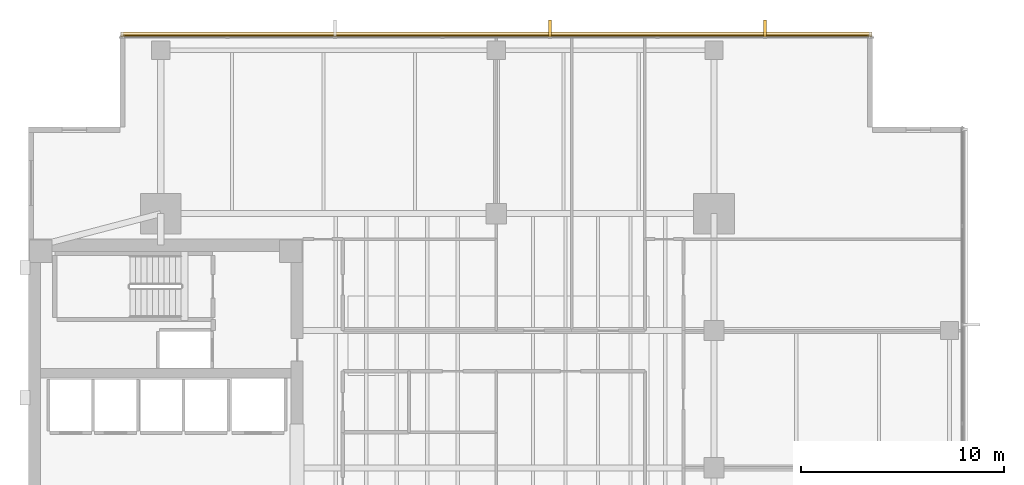
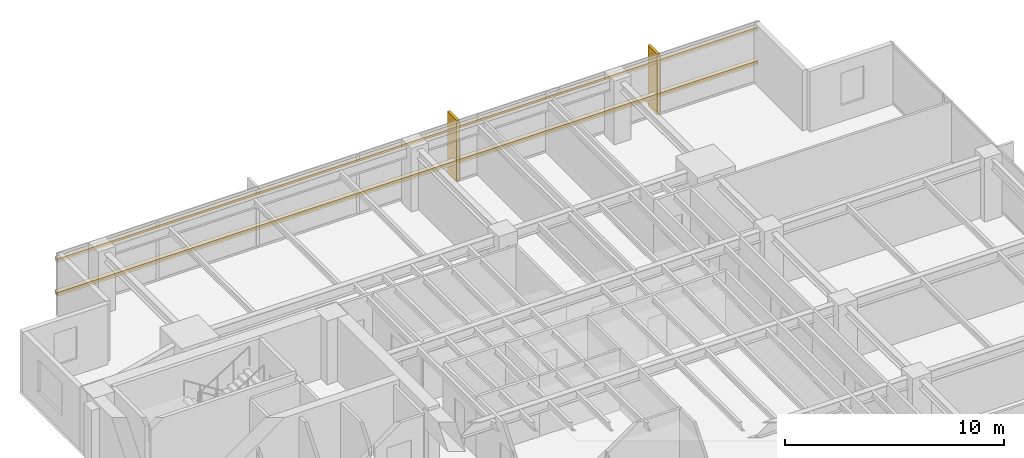
# One storey, part 14 of 14: 4 coverings, 2 shading devices.
"""IFC4 building model written with IfcOpenShell, lengths in metres."""

import ifcopenshell
import ifcopenshell.guid

model = None  # the IFC model being written
_history = None  # IfcOwnerHistory: only IFC2X3 demands one
_inside = {}  # id of a spatial element -> (the spatial element, [elements in it])
_under = {}  # id of a project, library or spatial element -> (it, [spatial elements below it])
_declared = {}  # id of a project -> (the project, [libraries it declares])
_typed = {}  # id of a type object -> (the type object, [elements of that type])
_made_of = {}  # id of a material, layer set ... -> (it, [elements and type objects made of it])


def new_model(schema):
    """Start an empty IFC model of exactly this schema.

    Asked for "IFC4X3", IfcOpenShell would pick the latest addendum, in which some entities
    have other attributes; the version numbers below select the first issue.
    IFC2X3 requires an IfcOwnerHistory on every rooted entity: one is made here for all.
    """
    global model, _history
    if schema == "IFC4X3":
        model = ifcopenshell.file(schema_version=(4, 3, 0, 0))
    else:
        model = ifcopenshell.file(schema=schema)
    _inside.clear()
    _under.clear()
    _declared.clear()
    _typed.clear()
    _made_of.clear()
    _history = None
    if model.schema == "IFC2X3":
        org = make("IfcOrganization", Name="unknown")
        user = make(
            "IfcPersonAndOrganization",
            ThePerson=make("IfcPerson", FamilyName="unknown"),
            TheOrganization=org,
        )
        app = make(
            "IfcApplication",
            ApplicationDeveloper=org,
            Version="unknown",
            ApplicationFullName="unknown",
            ApplicationIdentifier="unknown",
        )
        _history = make(
            "IfcOwnerHistory",
            OwningUser=user,
            OwningApplication=app,
            ChangeAction="ADDED",
            CreationDate=0,
        )
    return model


def make(cls, **values):
    """One entity of the class cls with the attributes given. An attribute that is None is left unset."""
    return model.create_entity(
        cls, **{name: value for name, value in values.items() if value is not None}
    )


def rooted(cls, **values):
    """An entity with a GlobalId (a new one), such as an element, a storey or a relation."""
    return make(cls, GlobalId=ifcopenshell.guid.new(), OwnerHistory=_history, **values)


def si_unit(unit_type, name, prefix=None):
    """IfcSIUnit, for example si_unit("LENGTHUNIT", "METRE", prefix="MILLI")."""
    return make("IfcSIUnit", UnitType=unit_type, Prefix=prefix, Name=name)


def assignment(units):
    """IfcUnitAssignment: the units of a project."""
    return None if units is None else make("IfcUnitAssignment", Units=units)


def point(xyz):
    """IfcCartesianPoint."""
    return None if xyz is None else make("IfcCartesianPoint", Coordinates=xyz)


def direction(xyz):
    """IfcDirection."""
    return None if xyz is None else make("IfcDirection", DirectionRatios=xyz)


def frame(location, z_axis=None, x_axis=None):
    """IfcAxis2Placement3D, a coordinate frame: its origin and axes. An axis left out is left unset."""
    return make(
        "IfcAxis2Placement3D",
        Location=point(location),
        Axis=direction(z_axis),
        RefDirection=direction(x_axis),
    )


def frame_2d(location, x_axis=None):
    """IfcAxis2Placement2D, a coordinate frame in the plane: its origin and x axis."""
    return make(
        "IfcAxis2Placement2D", Location=point(location), RefDirection=direction(x_axis)
    )


def origin():
    """The frame at (0, 0, 0) with its axes left unset."""
    return frame((0.0, 0.0, 0.0))


def origin_2d():
    """The frame at (0, 0) in the plane with its x axis left unset."""
    return frame_2d((0.0, 0.0))


def place(relative_to, where):
    """IfcLocalPlacement: puts the frame where relative to a parent placement (None: the world)."""
    return make(
        "IfcLocalPlacement", PlacementRelTo=relative_to, RelativePlacement=where
    )


def context(
    kind, dimensions, precision=None, world=None, true_north=None, identifier=None
):
    """IfcGeometricRepresentationContext, for example the 3D "Model" context."""
    return make(
        "IfcGeometricRepresentationContext",
        ContextIdentifier=identifier,
        ContextType=kind,
        CoordinateSpaceDimension=dimensions,
        Precision=precision,
        WorldCoordinateSystem=world,
        TrueNorth=true_north,
    )


def subcontext(parent, identifier, kind, view, scale=None):
    """IfcGeometricRepresentationSubContext, for example "Body" below "Model"."""
    return make(
        "IfcGeometricRepresentationSubContext",
        ContextIdentifier=identifier,
        ContextType=kind,
        ParentContext=parent,
        TargetScale=scale,
        TargetView=view,
    )


def project(units=None, contexts=None):
    """IfcProject with its units and contexts."""
    return rooted(
        "IfcProject",
        Name="project",
        RepresentationContexts=contexts,
        UnitsInContext=assignment(units),
    )


def spatial(cls, under=None, at=None, **own):
    """A site, building, storey or space (cls), placed at a placement, below another one or the project."""
    s = rooted(cls, ObjectPlacement=at, **own)
    if under is not None:
        _under.setdefault(under.id(), (under, []))[1].append(s)
    return s


def polyline(points):
    """IfcPolyline through the points."""
    return make("IfcPolyline", Points=[point(p) for p in points])


def profile(cls, at=None, kind="AREA", **sizes):
    """A parametric profile (cls). Its sizes go by their IFC names, for example OverallWidth=200.0."""
    return make(cls, ProfileType=kind, Position=at, **sizes)


def rectangle(**sizes):
    """IfcRectangleProfileDef."""
    return profile("IfcRectangleProfileDef", **sizes)


def outline(outer, holes=None, kind="AREA"):
    """IfcArbitraryClosedProfileDef: a profile drawn as a closed curve; with holes, ...WithVoids."""
    if holes is None:
        return make("IfcArbitraryClosedProfileDef", ProfileType=kind, OuterCurve=outer)
    return make(
        "IfcArbitraryProfileDefWithVoids",
        ProfileType=kind,
        OuterCurve=outer,
        InnerCurves=holes,
    )


def extrude(swept, where, along, depth):
    """IfcExtrudedAreaSolid: the profile swept, set in the frame where, extruded along a direction by depth."""
    return make(
        "IfcExtrudedAreaSolid",
        SweptArea=swept,
        Position=where,
        ExtrudedDirection=direction(along),
        Depth=depth,
    )


def shape(context_of_items, identifier, shape_type, items):
    """IfcShapeRepresentation: the items that make up one representation, for example the "Body"."""
    return make(
        "IfcShapeRepresentation",
        ContextOfItems=context_of_items,
        RepresentationIdentifier=identifier,
        RepresentationType=shape_type,
        Items=items,
    )


def material(Name=None, Category=None):
    """IfcMaterial."""
    return make("IfcMaterial", Name=Name, Category=Category)


def layer(
    of_material, thickness, ventilated=None, Name=None, Category=None, Priority=None
):
    """IfcMaterialLayer: one layer of a wall or slab, of a material (None: an air gap)."""
    return make(
        "IfcMaterialLayer",
        Material=of_material,
        LayerThickness=thickness,
        IsVentilated=ventilated,
        Name=Name,
        Category=Category,
        Priority=Priority,
    )


def layer_set(layers, Name=None):
    """IfcMaterialLayerSet."""
    return make("IfcMaterialLayerSet", MaterialLayers=layers, LayerSetName=Name)


def material_profile(
    of_material, cross_section, Name=None, Category=None, Priority=None
):
    """IfcMaterialProfile: a cross section and its material."""
    return make(
        "IfcMaterialProfile",
        Name=Name,
        Material=of_material,
        Profile=cross_section,
        Priority=Priority,
        Category=Category,
    )


def profile_set(profiles, Name=None, composite=None):
    """IfcMaterialProfileSet."""
    return make(
        "IfcMaterialProfileSet",
        Name=Name,
        MaterialProfiles=profiles,
        CompositeProfile=composite,
    )


def made_of(thing, what):
    """Note that an element or type object is made of a material, layer set ...; save() writes the relation."""
    if what is not None:
        _made_of.setdefault(what.id(), (what, []))[1].append(thing)
    return thing


def type_object(cls, material=None, **own):
    """A type object (cls), such as IfcWallType, which elements share."""
    return made_of(rooted(cls, **own), material)


def element(
    cls,
    number,
    at=None,
    inside=None,
    cuts=None,
    type_object=None,
    material=None,
    context=None,
    identifier="Body",
    shape_type=None,
    held_by="IfcProductDefinitionShape",
    body=None,
    shapes=None,
    **own,
):
    """One element of the class cls, such as IfcWall. Its Tag is "e" and its number.

    at: its placement. inside: the storey or other place that contains it. cuts: it is an
    opening in that element (IfcRelVoidsElement). A single representation is given by context,
    identifier, shape_type and body (its items); several are given by shapes. held_by: the class
    of the entity that holds the representations. save() writes the other relations.
    """
    e = rooted(cls, Tag="e%d" % number, ObjectPlacement=at, **own)
    if body is not None:
        shapes = [shape(context, identifier, shape_type, body)]
    if shapes is not None:
        e.Representation = make(held_by, Representations=shapes)
    if inside is not None:
        _inside.setdefault(inside.id(), (inside, []))[1].append(e)
    if cuts is not None:
        rooted(
            "IfcRelVoidsElement", RelatingBuildingElement=cuts, RelatedOpeningElement=e
        )
    if type_object is not None:
        _typed.setdefault(type_object.id(), (type_object, []))[1].append(e)
    return made_of(e, material)


def aggregate(whole, parts):
    """IfcRelAggregates: a whole, such as a stair, and the parts it consists of."""
    return rooted("IfcRelAggregates", RelatingObject=whole, RelatedObjects=parts)


def save(model, path):
    """Write the relations noted so far, then the file.

    IfcRelAggregates (storeys below a building ...), IfcRelContainedInSpatialStructure (elements
    in a storey), IfcRelDefinesByType, IfcRelAssociatesMaterial and IfcRelDeclares: one each for
    every whole, place, type object, material and project.
    """
    for whole, parts in _under.values():
        aggregate(whole, parts)
    for where, things in _inside.values():
        rooted(
            "IfcRelContainedInSpatialStructure",
            RelatedElements=things,
            RelatingStructure=where,
        )
    for kind, things in _typed.values():
        rooted("IfcRelDefinesByType", RelatedObjects=things, RelatingType=kind)
    for what, things in _made_of.values():
        rooted("IfcRelAssociatesMaterial", RelatedObjects=things, RelatingMaterial=what)
    for by, libraries in _declared.values():
        rooted("IfcRelDeclares", RelatingContext=by, RelatedDefinitions=libraries)
    model.write(path)


model = new_model("IFC4")

# Units and contexts
model_context = context("Model", 3, precision=1e-05, world=origin(), true_north=direction((0.0, 1.0)))
body_context = subcontext(model_context, "Body", "Model", "MODEL_VIEW")
ifc_project = project(units=[si_unit("LENGTHUNIT", "METRE"), si_unit("AREAUNIT", "SQUARE_METRE"), si_unit("VOLUMEUNIT", "CUBIC_METRE"), si_unit("PLANEANGLEUNIT", "RADIAN"), si_unit("MASSUNIT", "GRAM", prefix="KILO")], contexts=[model_context])

# Site, building, storey
site_placement = place(None, origin())
site = spatial("IfcSite", under=ifc_project, at=site_placement, CompositionType="ELEMENT")
building_placement = place(site_placement, origin())
building = spatial("IfcBuilding", under=site, at=building_placement, Name="Kinhvarn Gate Tower", CompositionType="ELEMENT")
storey_placement = place(building_placement, frame((0.0, 0.0, 151.949951171875)))
storey = spatial("IfcBuildingStorey", under=building, at=storey_placement, Name="L40", CompositionType="ELEMENT", Elevation=151.949951171875)

# Coverings
ifc_material = material(Name="Fired architectural terracotta", Category="masonry")
ifc_layer_1 = layer(ifc_material, 0.239990234375)
ifc_layer_set_1 = layer_set([ifc_layer_1], Name="Fired architectural terracotta")
covering_type_1 = type_object("IfcCoveringType", Name="COV-BAG-220", PredefinedType="CLADDING", material=ifc_layer_set_1)
covering_1_placement = place(storey_placement, frame((0.0, 0.0, 0.93994140625)))
element("IfcCovering", 1, at=covering_1_placement, inside=storey, type_object=covering_type_1, Name="Terracotta Horizontal Sunscreen Band TBG-220 (L40)", PredefinedType="CLADDING", context=body_context, shape_type="SweptSolid", body=[
    extrude(outline(polyline([(45.9599609375, 46.429931640625), (9.0400390625, 46.429931640625), (9.0400390625, 46.669921875), (45.9599609375, 46.669921875), (45.9599609375, 46.429931640625)])), origin(), (0.0, 0.0, 1.0), 0.22021484375),
])
covering_2_placement = place(storey_placement, frame((0.0, 0.0, 2.81005859375)))
element("IfcCovering", 2, at=covering_2_placement, inside=storey, type_object=covering_type_1, Name="Terracotta Horizontal Sunscreen Band TBG-220 (L40)", PredefinedType="CLADDING", context=body_context, shape_type="SweptSolid", body=[
    extrude(outline(polyline([(45.9599609375, 46.429931640625), (9.0400390625, 46.429931640625), (9.0400390625, 46.669921875), (45.9599609375, 46.669921875), (45.9599609375, 46.429931640625)])), origin(), (0.0, 0.0, 1.0), 0.219970703125),
])
ifc_layer_2 = layer(ifc_material, 0.139892578125)
ifc_layer_set_2 = layer_set([ifc_layer_2], Name="Fired architectural terracotta")
covering_type_2 = type_object("IfcCoveringType", Name="COV-FIN-850", PredefinedType="CLADDING", material=ifc_layer_set_2)
covering_3_placement = place(storey_placement, frame((0.0, 0.0, -0.02001953125)))
element("IfcCovering", 3, at=covering_3_placement, inside=storey, type_object=covering_type_2, Name="Vertical Terracotta Expressive Fin TFN-850 (L40)", PredefinedType="CLADDING", context=body_context, shape_type="SweptSolid", body=[
    extrude(outline(polyline([(40.7841796875, 46.419921875), (40.644287109375, 46.419921875), (40.644287109375, 47.27001953125), (40.7841796875, 47.27001953125), (40.7841796875, 46.419921875)])), origin(), (0.0, 0.0, 1.0), 3.41015625),
])
covering_4_placement = place(storey_placement, frame((0.0, 0.0, -0.02001953125)))
element("IfcCovering", 4, at=covering_4_placement, inside=storey, type_object=covering_type_2, Name="Vertical Terracotta Expressive Fin TFN-850 (L40)", PredefinedType="CLADDING", context=body_context, shape_type="SweptSolid", body=[
    extrude(outline(polyline([(30.212890625, 46.419921875), (30.072998046875, 46.419921875), (30.072998046875, 47.27001953125), (30.212890625, 47.27001953125), (30.212890625, 46.419921875)])), origin(), (0.0, 0.0, 1.0), 3.41015625),
])

# Shading devices
ifc_material_profile = material_profile(ifc_material, rectangle(XDim=0.050048828125, YDim=0.1201171875, at=origin_2d()), Name="TC 50x120")
ifc_profile_set = profile_set([ifc_material_profile], Name="Fired architectural terracotta")
shading_device_type = type_object("IfcShadingDeviceType", Name="SHD-BAG-140", PredefinedType="USERDEFINED", material=ifc_profile_set)
for number, where, z_axis, x_axis, name in (
    (5, (45.9599609375, 46.5, 1.050048828125), (-1.0, 0.0, 0.0), (0.0, -1.0, 0.0), "Upper Tower Terracotta Baguette Screen Rod 50x120 mm (L40)"),
    (6, (45.9599609375, 46.5, 2.920166015625), (-1.0, 0.0, 0.0), (0.0, -1.0, 0.0), "Upper Tower Terracotta Baguette Screen Rod 50x120 mm (L40)"),
):
    element("IfcShadingDevice", number, at=place(storey_placement, frame(where, z_axis=z_axis, x_axis=x_axis)), inside=storey, type_object=shading_device_type, Name=name, ObjectType="BAGUETTE", PredefinedType="USERDEFINED", context=body_context, shape_type="SweptSolid", body=[
        extrude(rectangle(XDim=0.050048828125, YDim=0.1201171875, at=origin_2d()), origin(), (0.0, 0.0, 1.0), 36.919921875),
    ])

save(model, "model.ifc")
